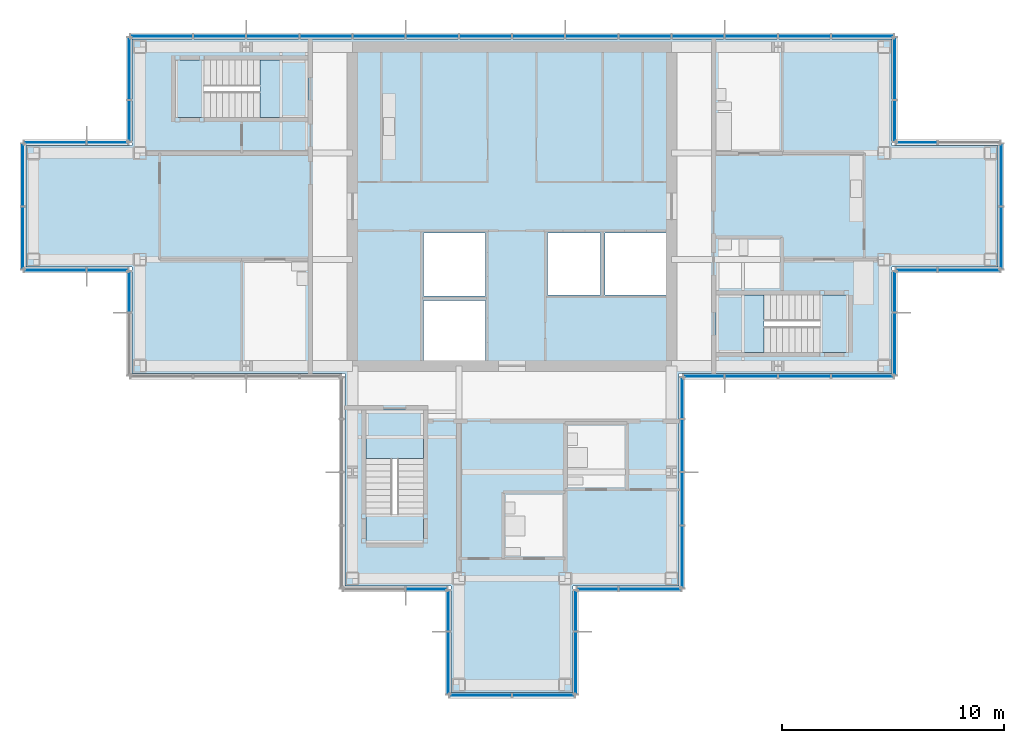
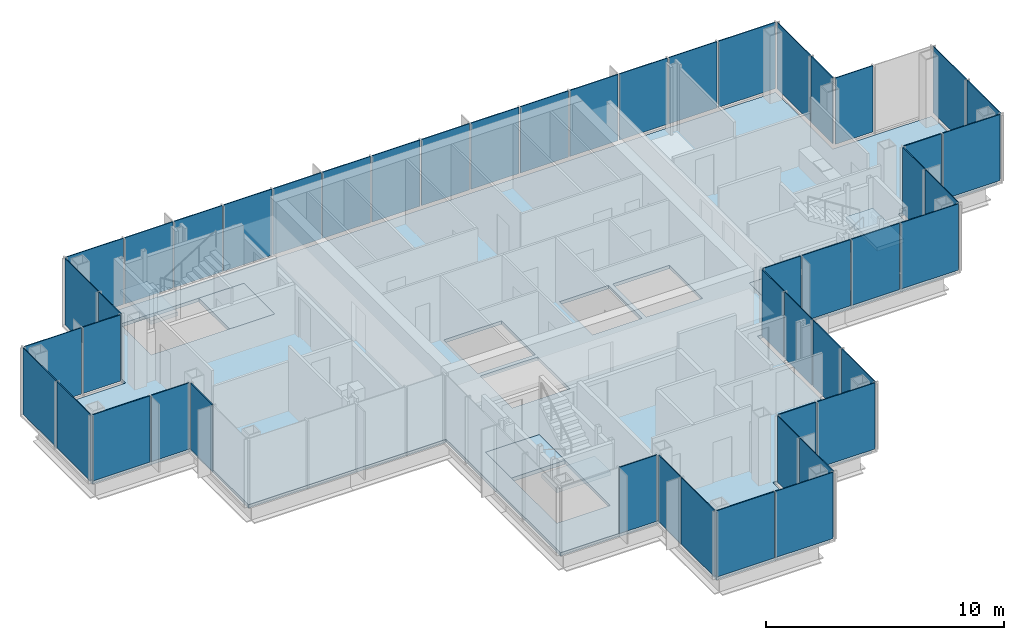
# One storey, part 9 of 15: 49 plates, 7 slabs, 21 elements without a shape of their own.
"""IFC4 building model written with IfcOpenShell, lengths in metres."""

from ifc_helpers import new_model, si_unit, direction, frame, origin, origin_2d, place, context, subcontext, project, spatial, polyline, rectangle, outline, extrude, material, layer, layer_set, type_object, element, aggregate, save


model = new_model("IFC4")

# Units and contexts
model_context = context("Model", 3, precision=1e-05, world=origin(), true_north=direction((0.0, 1.0)))
body_context = subcontext(model_context, "Body", "Model", "MODEL_VIEW")
ifc_project = project(units=[si_unit("LENGTHUNIT", "METRE"), si_unit("AREAUNIT", "SQUARE_METRE"), si_unit("VOLUMEUNIT", "CUBIC_METRE"), si_unit("PLANEANGLEUNIT", "RADIAN"), si_unit("MASSUNIT", "GRAM", prefix="KILO")], contexts=[model_context])

# Site, building, storey
site_placement = place(None, origin())
site = spatial("IfcSite", under=ifc_project, at=site_placement, CompositionType="ELEMENT")
building_placement = place(site_placement, origin())
building = spatial("IfcBuilding", under=site, at=building_placement, Name="Kvirike Care Tower", CompositionType="ELEMENT")
storey_placement = place(building_placement, frame((0.0, 0.0, 236.5)))
storey = spatial("IfcBuildingStorey", under=building, at=storey_placement, Name="L65", CompositionType="ELEMENT", Elevation=236.5)

# Slab
ifc_material_1 = material(Name="Concrete C35/45", Category="concrete")
ifc_layer_1 = layer(ifc_material_1, 0.169921875)
ifc_layer_set_1 = layer_set([ifc_layer_1], Name="FLOOR SLAB 170")
slab_type_1 = type_object("IfcSlabType", Name="FLOOR SLAB 170", PredefinedType="FLOOR", material=ifc_layer_set_1)
slab_1_placement = place(storey_placement, frame((0.0, 0.0, -0.169921875)))
element("IfcSlab", 1, at=slab_1_placement, inside=storey, type_object=slab_type_1, Name="Floor slab L65", PredefinedType="FLOOR", context=body_context, shape_type="SweptSolid", body=[
    extrude(outline(polyline([(29.14990234375, 28.449951171875), (38.75, 28.449951171875), (38.75, 33.25), (43.550048828125, 33.25), (43.550048828125, 38.75), (38.75, 38.75), (38.75, 43.550048828125), (4.449951171875, 43.550048828125), (4.449951171875, 38.75), (-0.35009765625, 38.75), (-0.35009765625, 33.25), (4.449951171875, 33.25), (4.449951171875, 28.449951171875), (14.050048828125, 28.449951171875), (14.050048828125, 18.85009765625), (18.85009765625, 18.85009765625), (18.85009765625, 14.050048828125), (24.35009765625, 14.050048828125), (24.35009765625, 18.85009765625), (29.14990234375, 18.85009765625), (29.14990234375, 28.449951171875)]), holes=[polyline([(17.60009765625, 29.050048828125), (17.60009765625, 31.75), (20.39990234375, 31.75), (20.39990234375, 29.050048828125), (17.60009765625, 29.050048828125)]), polyline([(17.60009765625, 31.949951171875), (17.60009765625, 34.800048828125), (20.39990234375, 34.800048828125), (20.39990234375, 31.949951171875), (17.60009765625, 31.949951171875)]), polyline([(23.199951171875, 32.0), (23.199951171875, 34.800048828125), (25.60009765625, 34.800048828125), (25.60009765625, 32.0), (23.199951171875, 32.0)]), polyline([(25.800048828125, 32.0), (25.800048828125, 34.800048828125), (28.550048828125, 34.800048828125), (28.550048828125, 32.0), (25.800048828125, 32.0)]), polyline([(12.39990234375, 42.60009765625), (12.39990234375, 40.0), (6.39990234375, 40.0), (6.39990234375, 42.60009765625), (12.39990234375, 42.60009765625)]), polyline([(30.800048828125, 29.39990234375), (30.800048828125, 32.0), (36.800048828125, 32.0), (36.800048828125, 29.39990234375), (30.800048828125, 29.39990234375)]), polyline([(15.0, 26.800048828125), (17.60009765625, 26.800048828125), (17.60009765625, 20.800048828125), (15.0, 20.800048828125), (15.0, 26.800048828125)])]), origin(), (0.0, 0.0, 1.0), 0.169921875),
])

# Stair, slabs
ifc_material_2 = material(Name="Concrete C35/45", Category="concrete")
stair_type = type_object("IfcStairType", Name="STAIR 20 RISERS", PredefinedType="HALF_TURN_STAIR", material=ifc_material_2)
stair_1_placement = place(storey_placement, origin())
stair_1 = element("IfcStair", 2, at=stair_1_placement, inside=storey, type_object=stair_type, Name="Stair 1 L65", PredefinedType="HALF_TURN_STAIR")
ifc_material_3 = material(Name="Concrete C35/45", Category="concrete")
ifc_layer_2 = layer(ifc_material_3, 0.199951171875)
ifc_layer_set_2 = layer_set([ifc_layer_2], Name="STAIR LANDING 200")
slab_type_2 = type_object("IfcSlabType", Name="STAIR LANDING 200", PredefinedType="LANDING", material=ifc_layer_set_2)
slab_2_placement = place(storey_placement, frame((0.0, 0.0, -0.199951171875)))
slab_2 = element("IfcSlab", 3, at=slab_2_placement, type_object=slab_type_2, Name="Stair S1 floor landing L65", PredefinedType="LANDING", context=body_context, shape_type="SweptSolid", body=[
    extrude(outline(polyline([(10.219970703125, 42.60009765625), (10.219970703125, 40.0), (12.39990234375, 40.0), (12.39990234375, 42.60009765625), (10.219970703125, 42.60009765625)])), origin(), (0.0, 0.0, 1.0), 0.199951171875),
])
slab_3_placement = place(storey_placement, frame((0.0, 0.0, 1.550048828125)))
slab_3 = element("IfcSlab", 4, at=slab_3_placement, type_object=slab_type_2, Name="Stair S1 half landing L65-L66", PredefinedType="LANDING", context=body_context, shape_type="SweptSolid", body=[
    extrude(outline(polyline([(6.39990234375, 42.60009765625), (6.39990234375, 40.0), (7.699951171875, 40.0), (7.699951171875, 42.60009765625), (6.39990234375, 42.60009765625)])), origin(), (0.0, 0.0, 1.0), 0.199951171875),
])
aggregate(stair_1, [slab_2, slab_3])

stair_2_placement = place(storey_placement, origin())
stair_2 = element("IfcStair", 5, at=stair_2_placement, inside=storey, type_object=stair_type, Name="Stair 2 L65", PredefinedType="HALF_TURN_STAIR")
slab_4_placement = place(storey_placement, frame((0.0, 0.0, -0.199951171875)))
slab_4 = element("IfcSlab", 6, at=slab_4_placement, type_object=slab_type_2, Name="Stair S2 floor landing L65", PredefinedType="LANDING", context=body_context, shape_type="SweptSolid", body=[
    extrude(outline(polyline([(32.97998046875, 29.39990234375), (32.97998046875, 32.0), (30.800048828125, 32.0), (30.800048828125, 29.39990234375), (32.97998046875, 29.39990234375)])), origin(), (0.0, 0.0, 1.0), 0.199951171875),
])
slab_5_placement = place(storey_placement, frame((0.0, 0.0, 1.550048828125)))
slab_5 = element("IfcSlab", 7, at=slab_5_placement, type_object=slab_type_2, Name="Stair S2 half landing L65-L66", PredefinedType="LANDING", context=body_context, shape_type="SweptSolid", body=[
    extrude(outline(polyline([(36.800048828125, 29.39990234375), (36.800048828125, 32.0), (35.5, 32.0), (35.5, 29.39990234375), (36.800048828125, 29.39990234375)])), origin(), (0.0, 0.0, 1.0), 0.199951171875),
])
aggregate(stair_2, [slab_4, slab_5])

stair_3_placement = place(storey_placement, origin())
stair_3 = element("IfcStair", 8, at=stair_3_placement, inside=storey, type_object=stair_type, Name="Stair 5 L65", PredefinedType="HALF_TURN_STAIR")
slab_6_placement = place(storey_placement, frame((0.0, 0.0, -0.199951171875)))
slab_6 = element("IfcSlab", 9, at=slab_6_placement, type_object=slab_type_2, Name="Stair S5 floor landing L65", PredefinedType="LANDING", context=body_context, shape_type="SweptSolid", body=[
    extrude(outline(polyline([(15.0, 24.6201171875), (17.60009765625, 24.6201171875), (17.60009765625, 26.800048828125), (15.0, 26.800048828125), (15.0, 24.6201171875)])), origin(), (0.0, 0.0, 1.0), 0.199951171875),
])
slab_7_placement = place(storey_placement, frame((0.0, 0.0, 1.550048828125)))
slab_7 = element("IfcSlab", 10, at=slab_7_placement, type_object=slab_type_2, Name="Stair S5 half landing L65-L66", PredefinedType="LANDING", context=body_context, shape_type="SweptSolid", body=[
    extrude(outline(polyline([(15.0, 20.800048828125), (17.60009765625, 20.800048828125), (17.60009765625, 22.10009765625), (15.0, 22.10009765625), (15.0, 20.800048828125)])), origin(), (0.0, 0.0, 1.0), 0.199951171875),
])
aggregate(stair_3, [slab_6, slab_7])

# Curtain wall, plates
ifc_material_4 = material(Name="Anodised aluminium stick system", Category="aluminium")
curtain_wall_type = type_object("IfcCurtainWallType", Name="CW-D STICK CURTAIN WALL", PredefinedType="NOTDEFINED", material=ifc_material_4)
curtain_wall_1_placement = place(storey_placement, origin())
curtain_wall_1 = element("IfcCurtainWall", 11, at=curtain_wall_1_placement, inside=storey, type_object=curtain_wall_type, Name="Curtain wall L65 face 1", PredefinedType="NOTDEFINED")
ifc_material_5 = material(Name="Tinted double glazed unit", Category="glass")
ifc_layer_3 = layer(ifc_material_5, 0.0439453125)
ifc_layer_set_3 = layer_set([ifc_layer_3], Name="TINTED VISION PANEL 44")
plate_type = type_object("IfcPlateType", Name="TINTED VISION PANEL 44", PredefinedType="CURTAIN_PANEL", material=ifc_layer_set_3)
plate_1_placement = place(storey_placement, frame((30.25634765625, 28.320068359375, 0.10009765625), z_axis=(0.0, 0.0, 1.0), x_axis=(1.0, 0.0, 0.0)))
plate_1 = element("IfcPlate", 12, at=plate_1_placement, type_object=plate_type, Name="CW-D panel L65 face 1.1", PredefinedType="CURTAIN_PANEL", context=body_context, shape_type="SweptSolid", body=[
    extrude(rectangle(XDim=1.822509765625, YDim=0.0439453125, at=origin_2d()), origin(), (0.0, 0.0, 1.0), 3.39990234375),
])
plate_2_placement = place(storey_placement, frame((32.39990234375, 28.320068359375, 0.10009765625), z_axis=(0.0, 0.0, 1.0), x_axis=(1.0, 0.0, 0.0)))
plate_2 = element("IfcPlate", 13, at=plate_2_placement, type_object=plate_type, Name="CW-D panel L65 face 1.2", PredefinedType="CURTAIN_PANEL", context=body_context, shape_type="SweptSolid", body=[
    extrude(rectangle(XDim=2.3349609375, YDim=0.0439453125, at=origin_2d()), origin(), (0.0, 0.0, 1.0), 3.39990234375),
])
plate_3_placement = place(storey_placement, frame((34.800048828125, 28.320068359375, 0.10009765625), z_axis=(0.0, 0.0, 1.0), x_axis=(1.0, 0.0, 0.0)))
plate_3 = element("IfcPlate", 14, at=plate_3_placement, type_object=plate_type, Name="CW-D panel L65 face 1.3", PredefinedType="CURTAIN_PANEL", context=body_context, shape_type="SweptSolid", body=[
    extrude(rectangle(XDim=2.3349609375, YDim=0.0439453125, at=origin_2d()), origin(), (0.0, 0.0, 1.0), 3.39990234375),
])
plate_4_placement = place(storey_placement, frame((37.423828125, 28.320068359375, 0.10009765625), z_axis=(0.0, 0.0, 1.0), x_axis=(1.0, 0.0, 0.0)))
plate_4 = element("IfcPlate", 15, at=plate_4_placement, type_object=plate_type, Name="CW-D panel L65 face 1.4", PredefinedType="CURTAIN_PANEL", context=body_context, shape_type="SweptSolid", body=[
    extrude(rectangle(XDim=2.782470703125, YDim=0.0439453125, at=origin_2d()), origin(), (0.0, 0.0, 1.0), 3.39990234375),
])
aggregate(curtain_wall_1, [plate_1, plate_2, plate_3, plate_4])

curtain_wall_2_placement = place(storey_placement, origin())
curtain_wall_2 = element("IfcCurtainWall", 16, at=curtain_wall_2_placement, inside=storey, type_object=curtain_wall_type, Name="Curtain wall L65 face 2", PredefinedType="NOTDEFINED")
plate_5_placement = place(storey_placement, frame((38.8798828125, 29.7763671875, 0.10009765625), z_axis=(0.0, 0.0, 1.0), x_axis=(0.0, 1.0, 0.0)))
plate_5 = element("IfcPlate", 17, at=plate_5_placement, type_object=plate_type, Name="CW-D panel L65 face 2.1", PredefinedType="CURTAIN_PANEL", context=body_context, shape_type="SweptSolid", body=[
    extrude(rectangle(XDim=2.782470703125, YDim=0.0439453125, at=origin_2d()), origin(), (0.0, 0.0, 1.0), 3.39990234375),
])
plate_6_placement = place(storey_placement, frame((38.8798828125, 32.143798828125, 0.10009765625), z_axis=(0.0, 0.0, 1.0), x_axis=(0.0, 1.0, 0.0)))
plate_6 = element("IfcPlate", 18, at=plate_6_placement, type_object=plate_type, Name="CW-D panel L65 face 2.2", PredefinedType="CURTAIN_PANEL", context=body_context, shape_type="SweptSolid", body=[
    extrude(rectangle(XDim=1.822509765625, YDim=0.0439453125, at=origin_2d()), origin(), (0.0, 0.0, 1.0), 3.39990234375),
])
aggregate(curtain_wall_2, [plate_5, plate_6])

curtain_wall_3_placement = place(storey_placement, origin())
curtain_wall_3 = element("IfcCurtainWall", 19, at=curtain_wall_3_placement, inside=storey, type_object=curtain_wall_type, Name="Curtain wall L65 face 3", PredefinedType="NOTDEFINED")
plate_7_placement = place(storey_placement, frame((39.856201171875, 33.1201171875, 0.10009765625), z_axis=(0.0, 0.0, 1.0), x_axis=(1.0, 0.0, 0.0)))
plate_7 = element("IfcPlate", 20, at=plate_7_placement, type_object=plate_type, Name="CW-D panel L65 face 3.1", PredefinedType="CURTAIN_PANEL", context=body_context, shape_type="SweptSolid", body=[
    extrude(rectangle(XDim=1.822509765625, YDim=0.0439453125, at=origin_2d()), origin(), (0.0, 0.0, 1.0), 3.39990234375),
])
plate_8_placement = place(storey_placement, frame((42.2236328125, 33.1201171875, 0.10009765625), z_axis=(0.0, 0.0, 1.0), x_axis=(1.0, 0.0, 0.0)))
plate_8 = element("IfcPlate", 21, at=plate_8_placement, type_object=plate_type, Name="CW-D panel L65 face 3.2", PredefinedType="CURTAIN_PANEL", context=body_context, shape_type="SweptSolid", body=[
    extrude(rectangle(XDim=2.782470703125, YDim=0.0439453125, at=origin_2d()), origin(), (0.0, 0.0, 1.0), 3.39990234375),
])
aggregate(curtain_wall_3, [plate_7, plate_8])

curtain_wall_4_placement = place(storey_placement, origin())
curtain_wall_4 = element("IfcCurtainWall", 22, at=curtain_wall_4_placement, inside=storey, type_object=curtain_wall_type, Name="Curtain wall L65 face 4", PredefinedType="NOTDEFINED")
plate_9_placement = place(storey_placement, frame((43.679931640625, 34.576171875, 0.10009765625), z_axis=(0.0, 0.0, 1.0), x_axis=(0.0, 1.0, 0.0)))
plate_9 = element("IfcPlate", 23, at=plate_9_placement, type_object=plate_type, Name="CW-D panel L65 face 4.1", PredefinedType="CURTAIN_PANEL", context=body_context, shape_type="SweptSolid", body=[
    extrude(rectangle(XDim=2.782470703125, YDim=0.0439453125, at=origin_2d()), origin(), (0.0, 0.0, 1.0), 3.39990234375),
])
plate_10_placement = place(storey_placement, frame((43.679931640625, 37.423828125, 0.10009765625), z_axis=(0.0, 0.0, 1.0), x_axis=(0.0, 1.0, 0.0)))
plate_10 = element("IfcPlate", 24, at=plate_10_placement, type_object=plate_type, Name="CW-D panel L65 face 4.2", PredefinedType="CURTAIN_PANEL", context=body_context, shape_type="SweptSolid", body=[
    extrude(rectangle(XDim=2.782470703125, YDim=0.0439453125, at=origin_2d()), origin(), (0.0, 0.0, 1.0), 3.39990234375),
])
aggregate(curtain_wall_4, [plate_9, plate_10])

# Curtain wall, plate
curtain_wall_5_placement = place(storey_placement, origin())
curtain_wall_5 = element("IfcCurtainWall", 25, at=curtain_wall_5_placement, inside=storey, type_object=curtain_wall_type, Name="Curtain wall L65 face 5", PredefinedType="NOTDEFINED")
plate_11_placement = place(storey_placement, frame((39.856201171875, 38.8798828125, 0.10009765625), z_axis=(0.0, 0.0, 1.0), x_axis=(-1.0, 0.0, 0.0)))
plate_11 = element("IfcPlate", 26, at=plate_11_placement, type_object=plate_type, Name="CW-D panel L65 face 5.2", PredefinedType="CURTAIN_PANEL", context=body_context, shape_type="SweptSolid", body=[
    extrude(rectangle(XDim=1.822509765625, YDim=0.0439453125, at=origin_2d()), origin(), (0.0, 0.0, 1.0), 3.39990234375),
])
aggregate(curtain_wall_5, [plate_11])

# Curtain wall, plates
curtain_wall_6_placement = place(storey_placement, origin())
curtain_wall_6 = element("IfcCurtainWall", 27, at=curtain_wall_6_placement, inside=storey, type_object=curtain_wall_type, Name="Curtain wall L65 face 6", PredefinedType="NOTDEFINED")
plate_12_placement = place(storey_placement, frame((38.8798828125, 39.856201171875, 0.10009765625), z_axis=(0.0, 0.0, 1.0), x_axis=(0.0, 1.0, 0.0)))
plate_12 = element("IfcPlate", 28, at=plate_12_placement, type_object=plate_type, Name="CW-D panel L65 face 6.1", PredefinedType="CURTAIN_PANEL", context=body_context, shape_type="SweptSolid", body=[
    extrude(rectangle(XDim=1.822509765625, YDim=0.0439453125, at=origin_2d()), origin(), (0.0, 0.0, 1.0), 3.39990234375),
])
plate_13_placement = place(storey_placement, frame((38.8798828125, 42.2236328125, 0.10009765625), z_axis=(0.0, 0.0, 1.0), x_axis=(0.0, 1.0, 0.0)))
plate_13 = element("IfcPlate", 29, at=plate_13_placement, type_object=plate_type, Name="CW-D panel L65 face 6.2", PredefinedType="CURTAIN_PANEL", context=body_context, shape_type="SweptSolid", body=[
    extrude(rectangle(XDim=2.782470703125, YDim=0.0439453125, at=origin_2d()), origin(), (0.0, 0.0, 1.0), 3.39990234375),
])
aggregate(curtain_wall_6, [plate_12, plate_13])

curtain_wall_7_placement = place(storey_placement, origin())
curtain_wall_7 = element("IfcCurtainWall", 30, at=curtain_wall_7_placement, inside=storey, type_object=curtain_wall_type, Name="Curtain wall L65 face 7", PredefinedType="NOTDEFINED")
plate_14_placement = place(storey_placement, frame((37.423828125, 43.679931640625, 0.10009765625), z_axis=(0.0, 0.0, 1.0), x_axis=(-1.0, 0.0, 0.0)))
plate_14 = element("IfcPlate", 31, at=plate_14_placement, type_object=plate_type, Name="CW-D panel L65 face 7.1", PredefinedType="CURTAIN_PANEL", context=body_context, shape_type="SweptSolid", body=[
    extrude(rectangle(XDim=2.782470703125, YDim=0.0439453125, at=origin_2d()), origin(), (0.0, 0.0, 1.0), 3.39990234375),
])
plate_15_placement = place(storey_placement, frame((34.800048828125, 43.679931640625, 0.10009765625), z_axis=(0.0, 0.0, 1.0), x_axis=(-1.0, 0.0, 0.0)))
plate_15 = element("IfcPlate", 32, at=plate_15_placement, type_object=plate_type, Name="CW-D panel L65 face 7.2", PredefinedType="CURTAIN_PANEL", context=body_context, shape_type="SweptSolid", body=[
    extrude(rectangle(XDim=2.3349609375, YDim=0.0439453125, at=origin_2d()), origin(), (0.0, 0.0, 1.0), 3.39990234375),
])
plate_16_placement = place(storey_placement, frame((32.39990234375, 43.679931640625, 0.10009765625), z_axis=(0.0, 0.0, 1.0), x_axis=(-1.0, 0.0, 0.0)))
plate_16 = element("IfcPlate", 33, at=plate_16_placement, type_object=plate_type, Name="CW-D panel L65 face 7.3", PredefinedType="CURTAIN_PANEL", context=body_context, shape_type="SweptSolid", body=[
    extrude(rectangle(XDim=2.3349609375, YDim=0.0439453125, at=origin_2d()), origin(), (0.0, 0.0, 1.0), 3.39990234375),
])
plate_17_placement = place(storey_placement, frame((30.0, 43.679931640625, 0.10009765625), z_axis=(0.0, 0.0, 1.0), x_axis=(-1.0, 0.0, 0.0)))
plate_17 = element("IfcPlate", 34, at=plate_17_placement, type_object=plate_type, Name="CW-D panel L65 face 7.4", PredefinedType="CURTAIN_PANEL", context=body_context, shape_type="SweptSolid", body=[
    extrude(rectangle(XDim=2.3349609375, YDim=0.0439453125, at=origin_2d()), origin(), (0.0, 0.0, 1.0), 3.39990234375),
])
plate_18_placement = place(storey_placement, frame((27.60009765625, 43.679931640625, 0.10009765625), z_axis=(0.0, 0.0, 1.0), x_axis=(-1.0, 0.0, 0.0)))
plate_18 = element("IfcPlate", 35, at=plate_18_placement, type_object=plate_type, Name="CW-D panel L65 face 7.5", PredefinedType="CURTAIN_PANEL", context=body_context, shape_type="SweptSolid", body=[
    extrude(rectangle(XDim=2.3349609375, YDim=0.0439453125, at=origin_2d()), origin(), (0.0, 0.0, 1.0), 3.39990234375),
])
plate_19_placement = place(storey_placement, frame((25.199951171875, 43.679931640625, 0.10009765625), z_axis=(0.0, 0.0, 1.0), x_axis=(-1.0, 0.0, 0.0)))
plate_19 = element("IfcPlate", 36, at=plate_19_placement, type_object=plate_type, Name="CW-D panel L65 face 7.6", PredefinedType="CURTAIN_PANEL", context=body_context, shape_type="SweptSolid", body=[
    extrude(rectangle(XDim=2.3349609375, YDim=0.0439453125, at=origin_2d()), origin(), (0.0, 0.0, 1.0), 3.39990234375),
])
plate_20_placement = place(storey_placement, frame((22.800048828125, 43.679931640625, 0.10009765625), z_axis=(0.0, 0.0, 1.0), x_axis=(-1.0, 0.0, 0.0)))
plate_20 = element("IfcPlate", 37, at=plate_20_placement, type_object=plate_type, Name="CW-D panel L65 face 7.7", PredefinedType="CURTAIN_PANEL", context=body_context, shape_type="SweptSolid", body=[
    extrude(rectangle(XDim=2.3349609375, YDim=0.0439453125, at=origin_2d()), origin(), (0.0, 0.0, 1.0), 3.39990234375),
])
plate_21_placement = place(storey_placement, frame((20.39990234375, 43.679931640625, 0.10009765625), z_axis=(0.0, 0.0, 1.0), x_axis=(-1.0, 0.0, 0.0)))
plate_21 = element("IfcPlate", 38, at=plate_21_placement, type_object=plate_type, Name="CW-D panel L65 face 7.8", PredefinedType="CURTAIN_PANEL", context=body_context, shape_type="SweptSolid", body=[
    extrude(rectangle(XDim=2.3349609375, YDim=0.0439453125, at=origin_2d()), origin(), (0.0, 0.0, 1.0), 3.39990234375),
])
plate_22_placement = place(storey_placement, frame((18.0, 43.679931640625, 0.10009765625), z_axis=(0.0, 0.0, 1.0), x_axis=(-1.0, 0.0, 0.0)))
plate_22 = element("IfcPlate", 39, at=plate_22_placement, type_object=plate_type, Name="CW-D panel L65 face 7.9", PredefinedType="CURTAIN_PANEL", context=body_context, shape_type="SweptSolid", body=[
    extrude(rectangle(XDim=2.3349609375, YDim=0.0439453125, at=origin_2d()), origin(), (0.0, 0.0, 1.0), 3.39990234375),
])
plate_23_placement = place(storey_placement, frame((15.60009765625, 43.679931640625, 0.10009765625), z_axis=(0.0, 0.0, 1.0), x_axis=(-1.0, 0.0, 0.0)))
plate_23 = element("IfcPlate", 40, at=plate_23_placement, type_object=plate_type, Name="CW-D panel L65 face 7.10", PredefinedType="CURTAIN_PANEL", context=body_context, shape_type="SweptSolid", body=[
    extrude(rectangle(XDim=2.3349609375, YDim=0.0439453125, at=origin_2d()), origin(), (0.0, 0.0, 1.0), 3.39990234375),
])
plate_24_placement = place(storey_placement, frame((13.199951171875, 43.679931640625, 0.10009765625), z_axis=(0.0, 0.0, 1.0), x_axis=(-1.0, 0.0, 0.0)))
plate_24 = element("IfcPlate", 41, at=plate_24_placement, type_object=plate_type, Name="CW-D panel L65 face 7.11", PredefinedType="CURTAIN_PANEL", context=body_context, shape_type="SweptSolid", body=[
    extrude(rectangle(XDim=2.3349609375, YDim=0.0439453125, at=origin_2d()), origin(), (0.0, 0.0, 1.0), 3.39990234375),
])
plate_25_placement = place(storey_placement, frame((10.800048828125, 43.679931640625, 0.10009765625), z_axis=(0.0, 0.0, 1.0), x_axis=(-1.0, 0.0, 0.0)))
plate_25 = element("IfcPlate", 42, at=plate_25_placement, type_object=plate_type, Name="CW-D panel L65 face 7.12", PredefinedType="CURTAIN_PANEL", context=body_context, shape_type="SweptSolid", body=[
    extrude(rectangle(XDim=2.3349609375, YDim=0.0439453125, at=origin_2d()), origin(), (0.0, 0.0, 1.0), 3.39990234375),
])
plate_26_placement = place(storey_placement, frame((8.39990234375, 43.679931640625, 0.10009765625), z_axis=(0.0, 0.0, 1.0), x_axis=(-1.0, 0.0, 0.0)))
plate_26 = element("IfcPlate", 43, at=plate_26_placement, type_object=plate_type, Name="CW-D panel L65 face 7.13", PredefinedType="CURTAIN_PANEL", context=body_context, shape_type="SweptSolid", body=[
    extrude(rectangle(XDim=2.3349609375, YDim=0.0439453125, at=origin_2d()), origin(), (0.0, 0.0, 1.0), 3.39990234375),
])
plate_27_placement = place(storey_placement, frame((5.7763671875, 43.679931640625, 0.10009765625), z_axis=(0.0, 0.0, 1.0), x_axis=(-1.0, 0.0, 0.0)))
plate_27 = element("IfcPlate", 44, at=plate_27_placement, type_object=plate_type, Name="CW-D panel L65 face 7.14", PredefinedType="CURTAIN_PANEL", context=body_context, shape_type="SweptSolid", body=[
    extrude(rectangle(XDim=2.782470703125, YDim=0.0439453125, at=origin_2d()), origin(), (0.0, 0.0, 1.0), 3.39990234375),
])
aggregate(curtain_wall_7, [plate_14, plate_15, plate_16, plate_17, plate_18, plate_19, plate_20, plate_21, plate_22, plate_23, plate_24, plate_25, plate_26, plate_27])

curtain_wall_8_placement = place(storey_placement, origin())
curtain_wall_8 = element("IfcCurtainWall", 45, at=curtain_wall_8_placement, inside=storey, type_object=curtain_wall_type, Name="Curtain wall L65 face 8", PredefinedType="NOTDEFINED")
plate_28_placement = place(storey_placement, frame((4.320068359375, 42.2236328125, 0.10009765625), z_axis=(0.0, 0.0, 1.0), x_axis=(0.0, -1.0, 0.0)))
plate_28 = element("IfcPlate", 46, at=plate_28_placement, type_object=plate_type, Name="CW-D panel L65 face 8.1", PredefinedType="CURTAIN_PANEL", context=body_context, shape_type="SweptSolid", body=[
    extrude(rectangle(XDim=2.782470703125, YDim=0.0439453125, at=origin_2d()), origin(), (0.0, 0.0, 1.0), 3.39990234375),
])
plate_29_placement = place(storey_placement, frame((4.320068359375, 39.856201171875, 0.10009765625), z_axis=(0.0, 0.0, 1.0), x_axis=(0.0, -1.0, 0.0)))
plate_29 = element("IfcPlate", 47, at=plate_29_placement, type_object=plate_type, Name="CW-D panel L65 face 8.2", PredefinedType="CURTAIN_PANEL", context=body_context, shape_type="SweptSolid", body=[
    extrude(rectangle(XDim=1.822509765625, YDim=0.0439453125, at=origin_2d()), origin(), (0.0, 0.0, 1.0), 3.39990234375),
])
aggregate(curtain_wall_8, [plate_28, plate_29])

curtain_wall_9_placement = place(storey_placement, origin())
curtain_wall_9 = element("IfcCurtainWall", 48, at=curtain_wall_9_placement, inside=storey, type_object=curtain_wall_type, Name="Curtain wall L65 face 9", PredefinedType="NOTDEFINED")
plate_30_placement = place(storey_placement, frame((3.34375, 38.8798828125, 0.10009765625), z_axis=(0.0, 0.0, 1.0), x_axis=(-1.0, 0.0, 0.0)))
plate_30 = element("IfcPlate", 49, at=plate_30_placement, type_object=plate_type, Name="CW-D panel L65 face 9.1", PredefinedType="CURTAIN_PANEL", context=body_context, shape_type="SweptSolid", body=[
    extrude(rectangle(XDim=1.822509765625, YDim=0.0439453125, at=origin_2d()), origin(), (0.0, 0.0, 1.0), 3.39990234375),
])
plate_31_placement = place(storey_placement, frame((0.976318359375, 38.8798828125, 0.10009765625), z_axis=(0.0, 0.0, 1.0), x_axis=(-1.0, 0.0, 0.0)))
plate_31 = element("IfcPlate", 50, at=plate_31_placement, type_object=plate_type, Name="CW-D panel L65 face 9.2", PredefinedType="CURTAIN_PANEL", context=body_context, shape_type="SweptSolid", body=[
    extrude(rectangle(XDim=2.782470703125, YDim=0.0439453125, at=origin_2d()), origin(), (0.0, 0.0, 1.0), 3.39990234375),
])
aggregate(curtain_wall_9, [plate_30, plate_31])

curtain_wall_10_placement = place(storey_placement, origin())
curtain_wall_10 = element("IfcCurtainWall", 51, at=curtain_wall_10_placement, inside=storey, type_object=curtain_wall_type, Name="Curtain wall L65 face 10", PredefinedType="NOTDEFINED")
plate_32_placement = place(storey_placement, frame((-0.47998046875, 37.423828125, 0.10009765625), z_axis=(0.0, 0.0, 1.0), x_axis=(0.0, -1.0, 0.0)))
plate_32 = element("IfcPlate", 52, at=plate_32_placement, type_object=plate_type, Name="CW-D panel L65 face 10.1", PredefinedType="CURTAIN_PANEL", context=body_context, shape_type="SweptSolid", body=[
    extrude(rectangle(XDim=2.782470703125, YDim=0.0439453125, at=origin_2d()), origin(), (0.0, 0.0, 1.0), 3.39990234375),
])
plate_33_placement = place(storey_placement, frame((-0.47998046875, 34.576171875, 0.10009765625), z_axis=(0.0, 0.0, 1.0), x_axis=(0.0, -1.0, 0.0)))
plate_33 = element("IfcPlate", 53, at=plate_33_placement, type_object=plate_type, Name="CW-D panel L65 face 10.2", PredefinedType="CURTAIN_PANEL", context=body_context, shape_type="SweptSolid", body=[
    extrude(rectangle(XDim=2.782470703125, YDim=0.0439453125, at=origin_2d()), origin(), (0.0, 0.0, 1.0), 3.39990234375),
])
aggregate(curtain_wall_10, [plate_32, plate_33])

curtain_wall_11_placement = place(storey_placement, origin())
curtain_wall_11 = element("IfcCurtainWall", 54, at=curtain_wall_11_placement, inside=storey, type_object=curtain_wall_type, Name="Curtain wall L65 face 11", PredefinedType="NOTDEFINED")
plate_34_placement = place(storey_placement, frame((0.976318359375, 33.1201171875, 0.10009765625), z_axis=(0.0, 0.0, 1.0), x_axis=(1.0, 0.0, 0.0)))
plate_34 = element("IfcPlate", 55, at=plate_34_placement, type_object=plate_type, Name="CW-D panel L65 face 11.1", PredefinedType="CURTAIN_PANEL", context=body_context, shape_type="SweptSolid", body=[
    extrude(rectangle(XDim=2.782470703125, YDim=0.0439453125, at=origin_2d()), origin(), (0.0, 0.0, 1.0), 3.39990234375),
])
plate_35_placement = place(storey_placement, frame((3.34375, 33.1201171875, 0.10009765625), z_axis=(0.0, 0.0, 1.0), x_axis=(1.0, 0.0, 0.0)))
plate_35 = element("IfcPlate", 56, at=plate_35_placement, type_object=plate_type, Name="CW-D panel L65 face 11.2", PredefinedType="CURTAIN_PANEL", context=body_context, shape_type="SweptSolid", body=[
    extrude(rectangle(XDim=1.822509765625, YDim=0.0439453125, at=origin_2d()), origin(), (0.0, 0.0, 1.0), 3.39990234375),
])
aggregate(curtain_wall_11, [plate_34, plate_35])

# Curtain wall, plate
curtain_wall_12_placement = place(storey_placement, origin())
curtain_wall_12 = element("IfcCurtainWall", 57, at=curtain_wall_12_placement, inside=storey, type_object=curtain_wall_type, Name="Curtain wall L65 face 12", PredefinedType="NOTDEFINED")
plate_36_placement = place(storey_placement, frame((4.320068359375, 32.143798828125, 0.10009765625), z_axis=(0.0, 0.0, 1.0), x_axis=(0.0, -1.0, 0.0)))
plate_36 = element("IfcPlate", 58, at=plate_36_placement, type_object=plate_type, Name="CW-D panel L65 face 12.1", PredefinedType="CURTAIN_PANEL", context=body_context, shape_type="SweptSolid", body=[
    extrude(rectangle(XDim=1.822509765625, YDim=0.0439453125, at=origin_2d()), origin(), (0.0, 0.0, 1.0), 3.39990234375),
])
aggregate(curtain_wall_12, [plate_36])

curtain_wall_13_placement = place(storey_placement, origin())
curtain_wall_13 = element("IfcCurtainWall", 59, at=curtain_wall_13_placement, inside=storey, type_object=curtain_wall_type, Name="Curtain wall L65 face 15", PredefinedType="NOTDEFINED")
plate_37_placement = place(storey_placement, frame((17.74365234375, 18.719970703125, 0.10009765625), z_axis=(0.0, 0.0, 1.0), x_axis=(1.0, 0.0, 0.0)))
plate_37 = element("IfcPlate", 60, at=plate_37_placement, type_object=plate_type, Name="CW-D panel L65 face 15.2", PredefinedType="CURTAIN_PANEL", context=body_context, shape_type="SweptSolid", body=[
    extrude(rectangle(XDim=1.822509765625, YDim=0.0439453125, at=origin_2d()), origin(), (0.0, 0.0, 1.0), 3.39990234375),
])
aggregate(curtain_wall_13, [plate_37])

# Curtain wall, plates
curtain_wall_14_placement = place(storey_placement, origin())
curtain_wall_14 = element("IfcCurtainWall", 61, at=curtain_wall_14_placement, inside=storey, type_object=curtain_wall_type, Name="Curtain wall L65 face 16", PredefinedType="NOTDEFINED")
plate_38_placement = place(storey_placement, frame((18.719970703125, 17.74365234375, 0.10009765625), z_axis=(0.0, 0.0, 1.0), x_axis=(0.0, -1.0, 0.0)))
plate_38 = element("IfcPlate", 62, at=plate_38_placement, type_object=plate_type, Name="CW-D panel L65 face 16.1", PredefinedType="CURTAIN_PANEL", context=body_context, shape_type="SweptSolid", body=[
    extrude(rectangle(XDim=1.822509765625, YDim=0.0439453125, at=origin_2d()), origin(), (0.0, 0.0, 1.0), 3.39990234375),
])
plate_39_placement = place(storey_placement, frame((18.719970703125, 15.376220703125, 0.10009765625), z_axis=(0.0, 0.0, 1.0), x_axis=(0.0, -1.0, 0.0)))
plate_39 = element("IfcPlate", 63, at=plate_39_placement, type_object=plate_type, Name="CW-D panel L65 face 16.2", PredefinedType="CURTAIN_PANEL", context=body_context, shape_type="SweptSolid", body=[
    extrude(rectangle(XDim=2.782470703125, YDim=0.0439453125, at=origin_2d()), origin(), (0.0, 0.0, 1.0), 3.39990234375),
])
aggregate(curtain_wall_14, [plate_38, plate_39])

curtain_wall_15_placement = place(storey_placement, origin())
curtain_wall_15 = element("IfcCurtainWall", 64, at=curtain_wall_15_placement, inside=storey, type_object=curtain_wall_type, Name="Curtain wall L65 face 17", PredefinedType="NOTDEFINED")
plate_40_placement = place(storey_placement, frame((20.17626953125, 13.919921875, 0.10009765625), z_axis=(0.0, 0.0, 1.0), x_axis=(1.0, 0.0, 0.0)))
plate_40 = element("IfcPlate", 65, at=plate_40_placement, type_object=plate_type, Name="CW-D panel L65 face 17.1", PredefinedType="CURTAIN_PANEL", context=body_context, shape_type="SweptSolid", body=[
    extrude(rectangle(XDim=2.782470703125, YDim=0.0439453125, at=origin_2d()), origin(), (0.0, 0.0, 1.0), 3.39990234375),
])
plate_41_placement = place(storey_placement, frame((23.023681640625, 13.919921875, 0.10009765625), z_axis=(0.0, 0.0, 1.0), x_axis=(1.0, 0.0, 0.0)))
plate_41 = element("IfcPlate", 66, at=plate_41_placement, type_object=plate_type, Name="CW-D panel L65 face 17.2", PredefinedType="CURTAIN_PANEL", context=body_context, shape_type="SweptSolid", body=[
    extrude(rectangle(XDim=2.782470703125, YDim=0.0439453125, at=origin_2d()), origin(), (0.0, 0.0, 1.0), 3.39990234375),
])
aggregate(curtain_wall_15, [plate_40, plate_41])

curtain_wall_16_placement = place(storey_placement, origin())
curtain_wall_16 = element("IfcCurtainWall", 67, at=curtain_wall_16_placement, inside=storey, type_object=curtain_wall_type, Name="Curtain wall L65 face 18", PredefinedType="NOTDEFINED")
plate_42_placement = place(storey_placement, frame((24.47998046875, 15.376220703125, 0.10009765625), z_axis=(0.0, 0.0, 1.0), x_axis=(0.0, 1.0, 0.0)))
plate_42 = element("IfcPlate", 68, at=plate_42_placement, type_object=plate_type, Name="CW-D panel L65 face 18.1", PredefinedType="CURTAIN_PANEL", context=body_context, shape_type="SweptSolid", body=[
    extrude(rectangle(XDim=2.782470703125, YDim=0.0439453125, at=origin_2d()), origin(), (0.0, 0.0, 1.0), 3.39990234375),
])
plate_43_placement = place(storey_placement, frame((24.47998046875, 17.74365234375, 0.10009765625), z_axis=(0.0, 0.0, 1.0), x_axis=(0.0, 1.0, 0.0)))
plate_43 = element("IfcPlate", 69, at=plate_43_placement, type_object=plate_type, Name="CW-D panel L65 face 18.2", PredefinedType="CURTAIN_PANEL", context=body_context, shape_type="SweptSolid", body=[
    extrude(rectangle(XDim=1.822509765625, YDim=0.0439453125, at=origin_2d()), origin(), (0.0, 0.0, 1.0), 3.39990234375),
])
aggregate(curtain_wall_16, [plate_42, plate_43])

curtain_wall_17_placement = place(storey_placement, origin())
curtain_wall_17 = element("IfcCurtainWall", 70, at=curtain_wall_17_placement, inside=storey, type_object=curtain_wall_type, Name="Curtain wall L65 face 19", PredefinedType="NOTDEFINED")
plate_44_placement = place(storey_placement, frame((25.456298828125, 18.719970703125, 0.10009765625), z_axis=(0.0, 0.0, 1.0), x_axis=(1.0, 0.0, 0.0)))
plate_44 = element("IfcPlate", 71, at=plate_44_placement, type_object=plate_type, Name="CW-D panel L65 face 19.1", PredefinedType="CURTAIN_PANEL", context=body_context, shape_type="SweptSolid", body=[
    extrude(rectangle(XDim=1.822509765625, YDim=0.0439453125, at=origin_2d()), origin(), (0.0, 0.0, 1.0), 3.39990234375),
])
plate_45_placement = place(storey_placement, frame((27.82373046875, 18.719970703125, 0.10009765625), z_axis=(0.0, 0.0, 1.0), x_axis=(1.0, 0.0, 0.0)))
plate_45 = element("IfcPlate", 72, at=plate_45_placement, type_object=plate_type, Name="CW-D panel L65 face 19.2", PredefinedType="CURTAIN_PANEL", context=body_context, shape_type="SweptSolid", body=[
    extrude(rectangle(XDim=2.782470703125, YDim=0.0439453125, at=origin_2d()), origin(), (0.0, 0.0, 1.0), 3.39990234375),
])
aggregate(curtain_wall_17, [plate_44, plate_45])

curtain_wall_18_placement = place(storey_placement, origin())
curtain_wall_18 = element("IfcCurtainWall", 73, at=curtain_wall_18_placement, inside=storey, type_object=curtain_wall_type, Name="Curtain wall L65 face 20", PredefinedType="NOTDEFINED")
plate_46_placement = place(storey_placement, frame((29.280029296875, 20.17626953125, 0.10009765625), z_axis=(0.0, 0.0, 1.0), x_axis=(0.0, 1.0, 0.0)))
plate_46 = element("IfcPlate", 74, at=plate_46_placement, type_object=plate_type, Name="CW-D panel L65 face 20.1", PredefinedType="CURTAIN_PANEL", context=body_context, shape_type="SweptSolid", body=[
    extrude(rectangle(XDim=2.782470703125, YDim=0.0439453125, at=origin_2d()), origin(), (0.0, 0.0, 1.0), 3.39990234375),
])
plate_47_placement = place(storey_placement, frame((29.280029296875, 22.800048828125, 0.10009765625), z_axis=(0.0, 0.0, 1.0), x_axis=(0.0, 1.0, 0.0)))
plate_47 = element("IfcPlate", 75, at=plate_47_placement, type_object=plate_type, Name="CW-D panel L65 face 20.2", PredefinedType="CURTAIN_PANEL", context=body_context, shape_type="SweptSolid", body=[
    extrude(rectangle(XDim=2.3349609375, YDim=0.0439453125, at=origin_2d()), origin(), (0.0, 0.0, 1.0), 3.39990234375),
])
plate_48_placement = place(storey_placement, frame((29.280029296875, 25.199951171875, 0.10009765625), z_axis=(0.0, 0.0, 1.0), x_axis=(0.0, 1.0, 0.0)))
plate_48 = element("IfcPlate", 76, at=plate_48_placement, type_object=plate_type, Name="CW-D panel L65 face 20.3", PredefinedType="CURTAIN_PANEL", context=body_context, shape_type="SweptSolid", body=[
    extrude(rectangle(XDim=2.3349609375, YDim=0.0439453125, at=origin_2d()), origin(), (0.0, 0.0, 1.0), 3.39990234375),
])
plate_49_placement = place(storey_placement, frame((29.280029296875, 27.34375, 0.10009765625), z_axis=(0.0, 0.0, 1.0), x_axis=(0.0, 1.0, 0.0)))
plate_49 = element("IfcPlate", 77, at=plate_49_placement, type_object=plate_type, Name="CW-D panel L65 face 20.4", PredefinedType="CURTAIN_PANEL", context=body_context, shape_type="SweptSolid", body=[
    extrude(rectangle(XDim=1.822509765625, YDim=0.0439453125, at=origin_2d()), origin(), (0.0, 0.0, 1.0), 3.39990234375),
])
aggregate(curtain_wall_18, [plate_46, plate_47, plate_48, plate_49])

save(model, "model.ifc")
